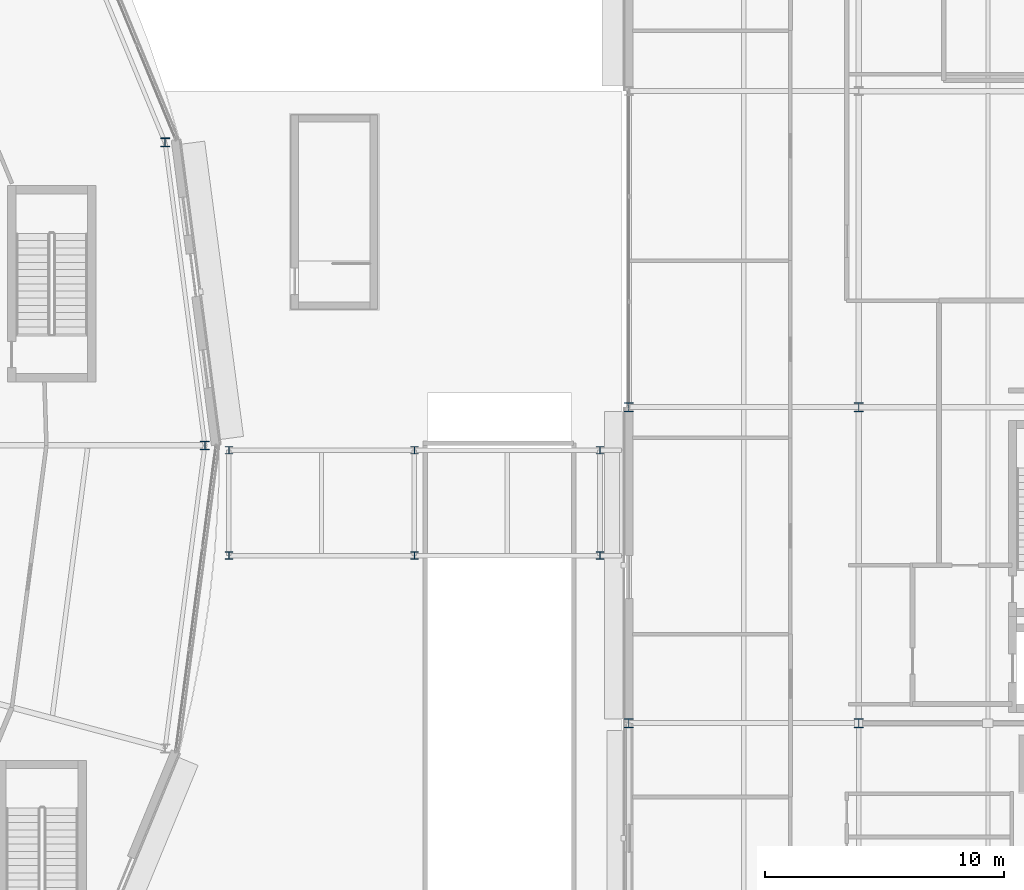
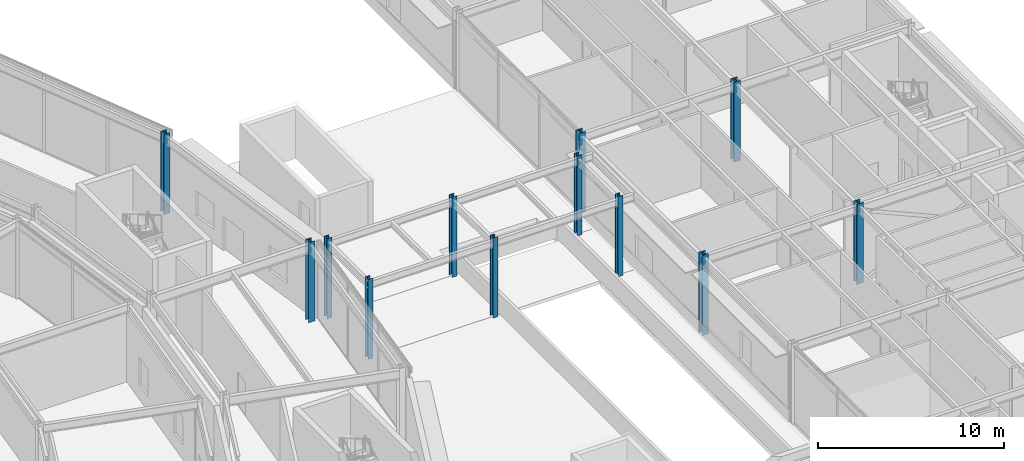
# One storey, part 17 of 168: 12 columns.
"""IFC4 building model written with IfcOpenShell, lengths in metres."""

from ifc_helpers import new_model, si_unit, direction, frame, origin, origin_2d, place, context, subcontext, project, spatial, i_section, extrude, material, material_profile, profile_set, type_object, element, save


model = new_model("IFC4")

# Units and contexts
model_context = context("Model", 3, precision=1e-05, world=origin(), true_north=direction((0.0, 1.0)))
body_context = subcontext(model_context, "Body", "Model", "MODEL_VIEW")
ifc_project = project(units=[si_unit("LENGTHUNIT", "METRE"), si_unit("AREAUNIT", "SQUARE_METRE"), si_unit("VOLUMEUNIT", "CUBIC_METRE"), si_unit("PLANEANGLEUNIT", "RADIAN"), si_unit("MASSUNIT", "GRAM", prefix="KILO")], contexts=[model_context])

# Site, building, storey
site_placement = place(None, origin())
site = spatial("IfcSite", under=ifc_project, at=site_placement, CompositionType="ELEMENT")
building_placement = place(site_placement, origin())
building = spatial("IfcBuilding", under=site, at=building_placement, Name="Almandine Court Research Institute", CompositionType="ELEMENT")
storey_placement = place(building_placement, origin())
storey = spatial("IfcBuildingStorey", under=building, at=storey_placement, Name="L00", CompositionType="ELEMENT", Elevation=0.0)

# Columns
ifc_material = material(Name="Steel ASTM A992 Grade 50", Category="steel")
ifc_material_profile_1 = material_profile(ifc_material, i_section(OverallWidth=0.39794921875, OverallDepth=0.386962890625, WebThickness=0.02392578125, FlangeThickness=0.0390625, at=origin_2d()), Name="W360x262")
ifc_profile_set_1 = profile_set([ifc_material_profile_1], Name="Steel ASTM A992 Grade 50")
column_type_1 = type_object("IfcColumnType", Name="Col-C-W01", PredefinedType="COLUMN", material=ifc_profile_set_1)
for number, where, z_axis, x_axis, name in (
    (1, (153.60009765625, 44.39990234375, 0.0), (0.0, 0.0, 1.0), (1.0, 0.0, 0.0), "L00 V4 Column V4-X2Y5"),
    (2, (153.60009765625, 57.60009765625, 0.0), (0.0, 0.0, 1.0), (1.0, 0.0, 0.0), "L00 V4 Column V4-X2Y6"),
    (3, (163.199951171875, 44.39990234375, 0.0), (0.0, 0.0, 1.0), (1.0, 0.0, 0.0), "L00 V4 Column V4-X3Y5"),
    (4, (163.199951171875, 57.60009765625, 0.0), (0.0, 0.0, 1.0), (1.0, 0.0, 0.0), "L00 V4 Column V4-X3Y6"),
):
    element("IfcColumn", number, at=place(storey_placement, frame(where, z_axis=z_axis, x_axis=x_axis)), inside=storey, type_object=column_type_1, Name=name, PredefinedType="COLUMN", context=body_context, shape_type="SweptSolid", body=[
        extrude(i_section(OverallWidth=0.39794921875, OverallDepth=0.386962890625, WebThickness=0.02392578125, FlangeThickness=0.0390625, at=origin_2d()), origin(), (0.0, 0.0, 1.0), 5.25),
    ])
ifc_material_profile_2 = material_profile(ifc_material, i_section(OverallWidth=0.373046875, OverallDepth=0.367919921875, WebThickness=0.01708984375, FlangeThickness=0.027099609375, at=origin_2d()), Name="W360x179")
ifc_profile_set_2 = profile_set([ifc_material_profile_2], Name="Steel ASTM A992 Grade 50")
column_type_2 = type_object("IfcColumnType", Name="Col-C-W03-E", PredefinedType="COLUMN", material=ifc_profile_set_2)
for number, where, z_axis, x_axis, name in (
    (5, (135.89990234375, 56.0, 0.0), (0.0, 0.0, 1.0), (1.0, 0.0, 0.0), "L00 V5 Column V5-OUT-S00"),
    (6, (134.23388671875, 68.656005859375, 0.0), (0.0, 0.0, 1.0), (1.0, 0.0, 0.0), "L00 V5 Column V5-OUT-S01"),
):
    element("IfcColumn", number, at=place(storey_placement, frame(where, z_axis=z_axis, x_axis=x_axis)), inside=storey, type_object=column_type_2, Name=name, PredefinedType="COLUMN", context=body_context, shape_type="SweptSolid", body=[
        extrude(i_section(OverallWidth=0.373046875, OverallDepth=0.367919921875, WebThickness=0.01708984375, FlangeThickness=0.027099609375, at=origin_2d()), origin(), (0.0, 0.0, 1.0), 5.25),
    ])
ifc_material_profile_3 = material_profile(ifc_material, i_section(OverallWidth=0.305908203125, OverallDepth=0.31103515625, WebThickness=0.010986328125, FlangeThickness=0.01708984375, at=origin_2d()), Name="W310x107")
ifc_profile_set_3 = profile_set([ifc_material_profile_3], Name="Steel ASTM A992 Grade 50")
column_type_3 = type_object("IfcColumnType", Name="Col-C-W08-E", PredefinedType="COLUMN", material=ifc_profile_set_3)
for number, where, z_axis, x_axis, name in (
    (7, (136.89990234375, 51.39990234375, 0.0), (0.0, 0.0, 1.0), (1.0, 0.0, 0.0), "L00 DAL-E Column DAL-E-X1Y1"),
    (8, (136.89990234375, 55.800048828125, 0.0), (0.0, 0.0, 1.0), (1.0, 0.0, 0.0), "L00 DAL-E Column DAL-E-X1Y2"),
    (9, (144.64990234375, 51.39990234375, 0.0), (0.0, 0.0, 1.0), (1.0, 0.0, 0.0), "L00 DAL-E Column DAL-E-X2Y1"),
    (10, (144.64990234375, 55.800048828125, 0.0), (0.0, 0.0, 1.0), (1.0, 0.0, 0.0), "L00 DAL-E Column DAL-E-X2Y2"),
    (11, (152.39990234375, 51.39990234375, 0.0), (0.0, 0.0, 1.0), (1.0, 0.0, 0.0), "L00 DAL-E Column DAL-E-X3Y1"),
    (12, (152.39990234375, 55.800048828125, 0.0), (0.0, 0.0, 1.0), (1.0, 0.0, 0.0), "L00 DAL-E Column DAL-E-X3Y2"),
):
    element("IfcColumn", number, at=place(storey_placement, frame(where, z_axis=z_axis, x_axis=x_axis)), inside=storey, type_object=column_type_3, Name=name, PredefinedType="COLUMN", context=body_context, shape_type="SweptSolid", body=[
        extrude(i_section(OverallWidth=0.305908203125, OverallDepth=0.31103515625, WebThickness=0.010986328125, FlangeThickness=0.01708984375, at=origin_2d()), origin(), (0.0, 0.0, 1.0), 5.25),
    ])

save(model, "model.ifc")
